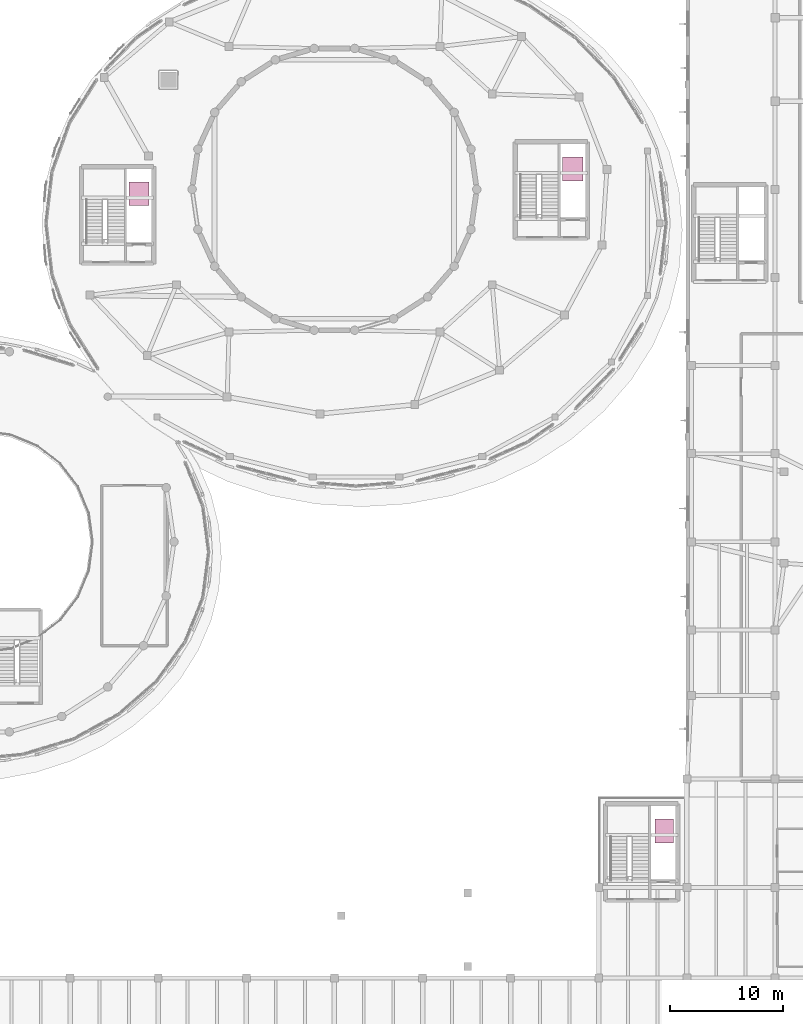
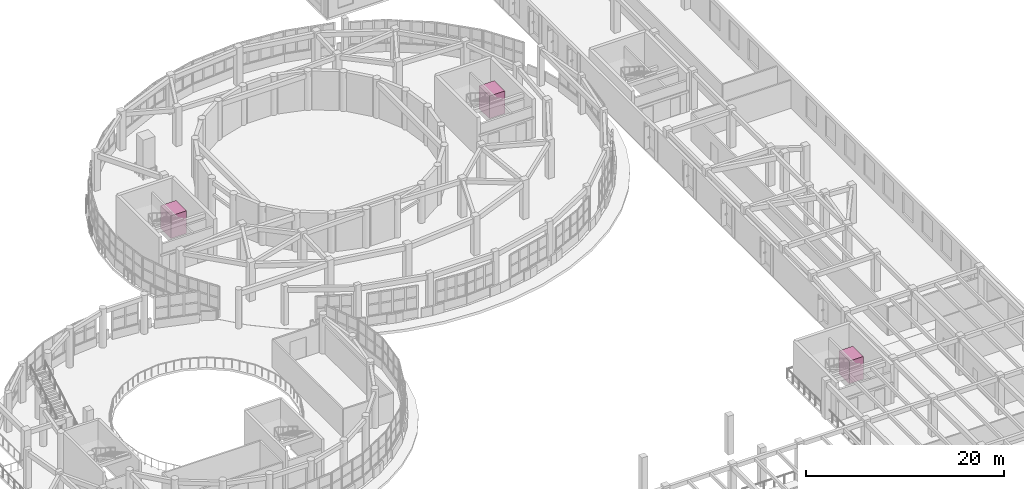
# One storey, part 98 of 98: 3 transport elements.
"""IFC4 building model written with IfcOpenShell, lengths in metres."""

from ifc_helpers import new_model, si_unit, direction, frame, origin, origin_2d, place, context, subcontext, project, spatial, rectangle, extrude, material, type_object, element, save


model = new_model("IFC4")

# Units and contexts
model_context = context("Model", 3, precision=1e-05, world=origin(), true_north=direction((0.0, 1.0)))
body_context = subcontext(model_context, "Body", "Model", "MODEL_VIEW")
ifc_project = project(units=[si_unit("LENGTHUNIT", "METRE"), si_unit("AREAUNIT", "SQUARE_METRE"), si_unit("VOLUMEUNIT", "CUBIC_METRE"), si_unit("PLANEANGLEUNIT", "RADIAN"), si_unit("MASSUNIT", "GRAM", prefix="KILO")], contexts=[model_context])

# Site, building, storey
site_placement = place(None, origin())
site = spatial("IfcSite", under=ifc_project, at=site_placement, CompositionType="ELEMENT")
building_placement = place(site_placement, origin())
building = spatial("IfcBuilding", under=site, at=building_placement, Name="Pelvatis Terrace Science Centre", CompositionType="ELEMENT")
storey_placement = place(building_placement, frame((0.0, 0.0, 5.39990234375)))
storey = spatial("IfcBuildingStorey", under=building, at=storey_placement, Name="L01", CompositionType="ELEMENT", Elevation=5.39990234375)

# Transport elements
ifc_material_1 = material(Name="Brushed bronze and stainless steel lift car", Category="steel")
transport_element_type_1 = type_object("IfcTransportElementType", Name="LFT-PAS-1650x2100", PredefinedType="ELEVATOR", material=ifc_material_1)
transport_element_placement = place(storey_placement, frame((138.3798828125, 29.0, 0.0), z_axis=(0.0, 0.0, 1.0), x_axis=(1.0, 0.0, 0.0)))
element("IfcTransportElement", 1, at=transport_element_placement, inside=storey, type_object=transport_element_type_1, Name="Elevator LF-07", PredefinedType="ELEVATOR", context=body_context, shape_type="SweptSolid", body=[
    extrude(rectangle(XDim=1.64990234375, YDim=2.10009765625, at=origin_2d()), origin(), (0.0, 0.0, 1.0), 2.800048828125),
])
ifc_material_2 = material(Name="Brushed bronze and stainless steel lift car", Category="steel")
transport_element_type_2 = type_object("IfcTransportElementType", Name="LFT-PAS-1800x2100", PredefinedType="ELEVATOR", material=ifc_material_2)
for number, where, z_axis, x_axis, name in (
    (2, (91.905029296875, 85.39990234375, 0.0), (0.0, 0.0, 1.0), (1.0, 0.0, 0.0), "Elevator LF-03"),
    (3, (130.304931640625, 87.60009765625, 0.0), (0.0, 0.0, 1.0), (1.0, 0.0, 0.0), "Elevator LF-04"),
):
    element("IfcTransportElement", number, at=place(storey_placement, frame(where, z_axis=z_axis, x_axis=x_axis)), inside=storey, type_object=transport_element_type_2, Name=name, PredefinedType="ELEVATOR", context=body_context, shape_type="SweptSolid", body=[
        extrude(rectangle(XDim=1.800048828125, YDim=2.10009765625, at=origin_2d()), origin(), (0.0, 0.0, 1.0), 2.800048828125),
    ])

save(model, "model.ifc")
